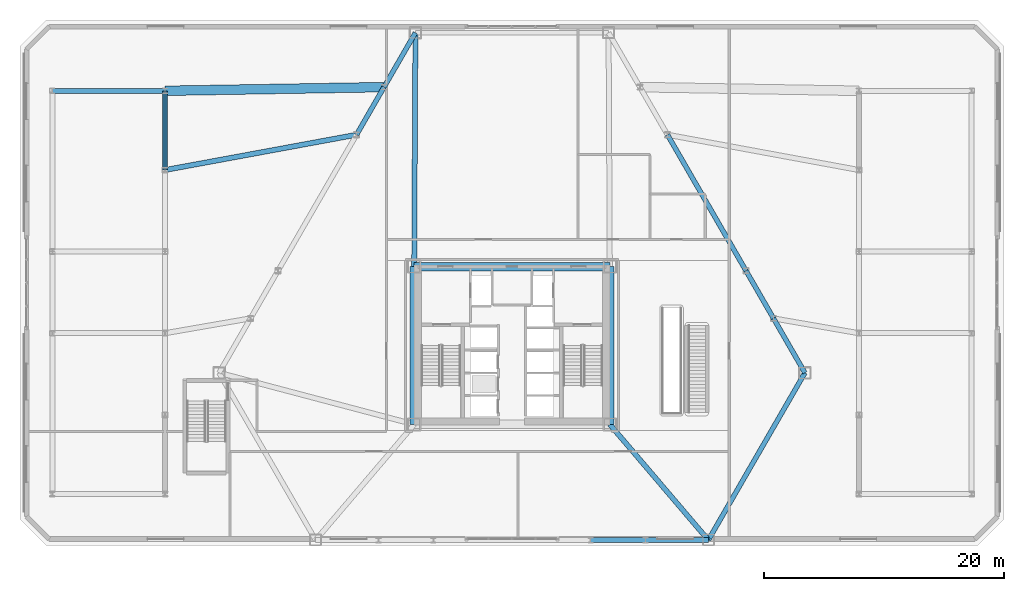
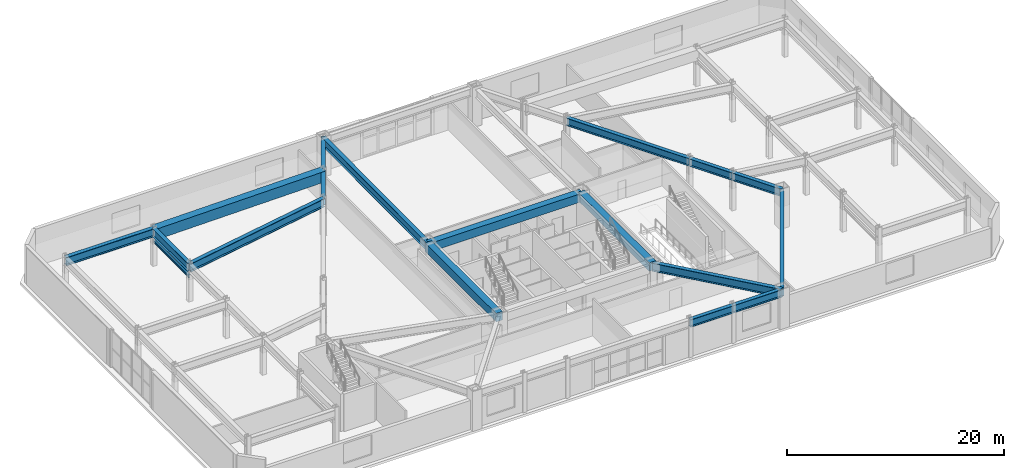
# One storey, part 9 of 21: 18 beams.
"""IFC4 building model written with IfcOpenShell, lengths in metres."""

from ifc_helpers import new_model, si_unit, direction, frame, origin, origin_2d, place, context, subcontext, project, spatial, rectangle, hollow_rectangle, i_section, extrude, material, material_profile, profile_set, type_object, element, save


model = new_model("IFC4")

# Units and contexts
model_context = context("Model", 3, precision=1e-05, world=origin(), true_north=direction((0.0, 1.0)))
body_context = subcontext(model_context, "Body", "Model", "MODEL_VIEW")
ifc_project = project(units=[si_unit("LENGTHUNIT", "METRE"), si_unit("AREAUNIT", "SQUARE_METRE"), si_unit("VOLUMEUNIT", "CUBIC_METRE"), si_unit("PLANEANGLEUNIT", "RADIAN"), si_unit("MASSUNIT", "GRAM", prefix="KILO")], contexts=[model_context])

# Site, building, storey
site_placement = place(None, origin())
site = spatial("IfcSite", under=ifc_project, at=site_placement, CompositionType="ELEMENT")
building_placement = place(site_placement, origin())
building = spatial("IfcBuilding", under=site, at=building_placement, Name="Oramaril Tower", CompositionType="ELEMENT")
storey_placement = place(building_placement, frame((0.0, 0.0, 5.39990234375)))
storey = spatial("IfcBuildingStorey", under=building, at=storey_placement, Name="L01", CompositionType="ELEMENT", Elevation=5.39990234375)

# Beams
ifc_material_1 = material(Name="Concrete C50/60", Category="concrete")
ifc_material_profile_1 = material_profile(ifc_material_1, rectangle(XDim=0.699951171875, YDim=0.949951171875, at=origin_2d()), Name="CB700X950")
ifc_profile_set_1 = profile_set([ifc_material_profile_1], Name="Concrete C50/60")
beam_type_1 = type_object("IfcBeamType", Name="BT-CB1", PredefinedType="BEAM", material=ifc_profile_set_1)
beam_1_placement = place(storey_placement, frame((45.64990234375, 11.0, 3.7451171875), z_axis=(0.0, 1.0, 0.0), x_axis=(-1.0, 0.0, 0.0)))
element("IfcBeam", 1, at=beam_1_placement, inside=storey, type_object=beam_type_1, Name="L01 Core Header Beam CB-2", PredefinedType="BEAM", context=body_context, shape_type="SweptSolid", body=[
    extrude(rectangle(XDim=0.699951171875, YDim=0.949951171875, at=origin_2d()), origin(), (0.0, 0.0, 1.0), 13.14990234375),
])
beam_2_placement = place(storey_placement, frame((45.64990234375, 24.14990234375, 3.7451171875), z_axis=(-1.0, 0.0, 0.0), x_axis=(0.0, -1.0, 0.0)))
element("IfcBeam", 2, at=beam_2_placement, inside=storey, type_object=beam_type_1, Name="L01 Core Header Beam CB-3", PredefinedType="BEAM", context=body_context, shape_type="SweptSolid", body=[
    extrude(rectangle(XDim=0.699951171875, YDim=0.949951171875, at=origin_2d()), origin(), (0.0, 0.0, 1.0), 16.2998046875),
])
beam_3_placement = place(storey_placement, frame((29.35009765625, 24.14990234375, 3.7451171875), z_axis=(0.0, -1.0, 0.0), x_axis=(1.0, 0.0, 0.0)))
element("IfcBeam", 3, at=beam_3_placement, inside=storey, type_object=beam_type_1, Name="L01 Core Header Beam CB-4", PredefinedType="BEAM", context=body_context, shape_type="SweptSolid", body=[
    extrude(rectangle(XDim=0.699951171875, YDim=0.949951171875, at=origin_2d()), origin(), (0.0, 0.0, 1.0), 13.14990234375),
])
ifc_material_2 = material(Name="Steel ASTM A572 Gr 50", Category="steel")
ifc_material_profile_2 = material_profile(ifc_material_2, i_section(OverallWidth=0.1650390625, OverallDepth=0.31005859375, WebThickness=0.005859375, FlangeThickness=0.009765625, at=origin_2d()), Name="W12X26")
ifc_profile_set_2 = profile_set([ifc_material_profile_2], Name="Steel ASTM A572 Gr 50")
beam_type_2 = type_object("IfcBeamType", Name="BT-LN1", PredefinedType="LINTEL", material=ifc_profile_set_2)
beam_4_placement = place(storey_placement, frame((8.60009765625, 32.199951171875, 2.695068359375), z_axis=(0.0, 1.0, 0.0), x_axis=(-1.0, 0.0, 0.0)))
element("IfcBeam", 4, at=beam_4_placement, inside=storey, type_object=beam_type_2, Name="L01 Podium Opening Lintel Beam", PredefinedType="LINTEL", context=body_context, shape_type="SweptSolid", body=[
    extrude(i_section(OverallWidth=0.1650390625, OverallDepth=0.31005859375, WebThickness=0.005859375, FlangeThickness=0.009765625, at=origin_2d()), origin(), (0.0, 0.0, 1.0), 6.60009765625),
])
ifc_material_3 = material(Name="Steel ASTM A572 Gr 50", Category="steel")
ifc_material_profile_3 = material_profile(ifc_material_3, i_section(OverallWidth=0.424072265625, OverallDepth=0.947021484375, WebThickness=0.02392578125, FlangeThickness=0.042724609375, at=origin_2d()), Name="W36X302")
ifc_profile_set_3 = profile_set([ifc_material_profile_3], Name="Steel ASTM A572 Gr 50")
beam_type_3 = type_object("IfcBeamType", Name="BT-PG1", PredefinedType="BEAM", material=ifc_profile_set_3)
beam_5_placement = place(storey_placement, frame((8.60009765625, 32.199951171875, 3.74658203125), z_axis=(0.983441112449, 0.181227973404, 0.0), x_axis=(-0.181227973404, 0.983441112449, 0.0)))
element("IfcBeam", 5, at=beam_5_placement, inside=storey, type_object=beam_type_3, Name="L01 Podium Clear-Span Girder 05", PredefinedType="BEAM", context=body_context, shape_type="SweptSolid", body=[
    extrude(i_section(OverallWidth=0.424072265625, OverallDepth=0.947021484375, WebThickness=0.02392578125, FlangeThickness=0.042724609375, at=origin_2d()), origin(), (0.0, 0.0, 1.0), 16.211669921875),
])
beam_6_placement = place(storey_placement, frame((-0.800048828125, 38.800048828125, 3.74658203125), z_axis=(1.0, 0.0, 0.0), x_axis=(0.0, 1.0, 0.0)))
element("IfcBeam", 6, at=beam_6_placement, inside=storey, type_object=beam_type_3, Name="L01 Wing Transverse Girder 04", PredefinedType="BEAM", context=body_context, shape_type="SweptSolid", body=[
    extrude(i_section(OverallWidth=0.424072265625, OverallDepth=0.947021484375, WebThickness=0.02392578125, FlangeThickness=0.042724609375, at=origin_2d()), origin(), (0.0, 0.0, 1.0), 9.400146484375),
])
ifc_material_4 = material(Name="Steel ASTM A572 Gr 50", Category="steel")
ifc_material_profile_4 = material_profile(ifc_material_4, i_section(OverallWidth=0.4189453125, OverallDepth=0.927001953125, WebThickness=0.019287109375, FlangeThickness=0.031982421875, at=origin_2d()), Name="W36X231")
ifc_profile_set_4 = profile_set([ifc_material_profile_4], Name="Steel ASTM A572 Gr 50")
beam_type_4 = type_object("IfcBeamType", Name="BT-PG2", PredefinedType="BEAM", material=ifc_profile_set_4)
beam_7_placement = place(storey_placement, frame((45.64990234375, 11.0, 3.756591796875), z_axis=(0.64848466157, -0.761227721322, 0.0), x_axis=(0.761227721322, 0.64848466157, 0.0)))
element("IfcBeam", 7, at=beam_7_placement, inside=storey, type_object=beam_type_4, Name="L01 Radial Primary Beam RB-03", PredefinedType="BEAM", context=body_context, shape_type="SweptSolid", body=[
    extrude(i_section(OverallWidth=0.4189453125, OverallDepth=0.927001953125, WebThickness=0.019287109375, FlangeThickness=0.031982421875, at=origin_2d()), origin(), (0.0, 0.0, 1.0), 12.66357421875),
])
beam_8_placement = place(storey_placement, frame((29.35009765625, 24.14990234375, 3.756591796875), z_axis=(0.005223463456, 0.999986357622, 0.0), x_axis=(-0.999986357622, 0.005223463456, 0.0)))
element("IfcBeam", 8, at=beam_8_placement, inside=storey, type_object=beam_type_4, Name="L01 Radial Primary Beam RB-06", PredefinedType="BEAM", context=body_context, shape_type="SweptSolid", body=[
    extrude(i_section(OverallWidth=0.4189453125, OverallDepth=0.927001953125, WebThickness=0.019287109375, FlangeThickness=0.031982421875, at=origin_2d()), origin(), (0.0, 0.0, 1.0), 19.490234375),
])
beam_9_placement = place(storey_placement, frame((8.60009765625, 32.199951171875, 3.756591796875), z_axis=(0.0, 1.0, 0.0), x_axis=(-1.0, 0.0, 0.0)))
element("IfcBeam", 9, at=beam_9_placement, inside=storey, type_object=beam_type_4, Name="L01 Podium Perimeter Girder 05", PredefinedType="BEAM", context=body_context, shape_type="SweptSolid", body=[
    extrude(i_section(OverallWidth=0.4189453125, OverallDepth=0.927001953125, WebThickness=0.019287109375, FlangeThickness=0.031982421875, at=origin_2d()), origin(), (0.0, 0.0, 1.0), 6.60009765625),
])
ifc_material_5 = material(Name="Steel ASTM A572 Gr 50", Category="steel")
ifc_material_profile_5 = material_profile(ifc_material_5, i_section(OverallWidth=0.40087890625, OverallDepth=0.85595703125, WebThickness=0.018310546875, FlangeThickness=0.029296875, at=origin_2d()), Name="W33X201")
ifc_profile_set_5 = profile_set([ifc_material_profile_5], Name="Steel ASTM A572 Gr 50")
beam_type_5 = type_object("IfcBeamType", Name="BT-SP1", PredefinedType="SPANDREL", material=ifc_profile_set_5)
beam_10_placement = place(storey_placement, frame((44.044921875, 1.360107421875, 3.7919921875), z_axis=(1.0, 0.0, 0.0), x_axis=(0.0, 1.0, 0.0)))
element("IfcBeam", 10, at=beam_10_placement, inside=storey, type_object=beam_type_5, Name="L01 Perimeter Spandrel 05", PredefinedType="SPANDREL", context=body_context, shape_type="SweptSolid", body=[
    extrude(i_section(OverallWidth=0.40087890625, OverallDepth=0.85595703125, WebThickness=0.018310546875, FlangeThickness=0.029296875, at=origin_2d()), origin(), (0.0, 0.0, 1.0), 4.581298828125),
])
beam_11_placement = place(storey_placement, frame((48.626220703125, 1.360107421875, 3.7919921875), z_axis=(1.0, 0.0, 0.0), x_axis=(0.0, 1.0, 0.0)))
element("IfcBeam", 11, at=beam_11_placement, inside=storey, type_object=beam_type_5, Name="L01 Perimeter Spandrel 06", PredefinedType="SPANDREL", context=body_context, shape_type="SweptSolid", body=[
    extrude(i_section(OverallWidth=0.40087890625, OverallDepth=0.85595703125, WebThickness=0.018310546875, FlangeThickness=0.029296875, at=origin_2d()), origin(), (0.0, 0.0, 1.0), 5.23583984375),
])
beam_12_placement = place(storey_placement, frame((53.862060546875, 1.360107421875, 3.7919921875), z_axis=(0.500005168208, 0.866022419898, 0.0), x_axis=(-0.866022419898, 0.500005168208, 0.0)))
element("IfcBeam", 12, at=beam_12_placement, inside=storey, type_object=beam_type_5, Name="L01 Perimeter Spandrel 07", PredefinedType="SPANDREL", context=body_context, shape_type="SweptSolid", body=[
    extrude(i_section(OverallWidth=0.40087890625, OverallDepth=0.85595703125, WebThickness=0.018310546875, FlangeThickness=0.029296875, at=origin_2d()), origin(), (0.0, 0.0, 1.0), 16.096435546875),
])
beam_13_placement = place(storey_placement, frame((61.910400390625, 15.300048828125, 3.7919921875), z_axis=(-0.499995574394, 0.866027958894, 0.0), x_axis=(-0.866027958894, -0.499995574394, 0.0)))
element("IfcBeam", 13, at=beam_13_placement, inside=storey, type_object=beam_type_5, Name="L01 Perimeter Spandrel 08", PredefinedType="SPANDREL", context=body_context, shape_type="SweptSolid", body=[
    extrude(i_section(OverallWidth=0.40087890625, OverallDepth=0.85595703125, WebThickness=0.018310546875, FlangeThickness=0.029296875, at=origin_2d()), origin(), (0.0, 0.0, 1.0), 5.23583984375),
])
beam_14_placement = place(storey_placement, frame((59.29248046875, 19.83447265625, 3.7919921875), z_axis=(-0.500019215235, 0.866014309579, 0.0), x_axis=(-0.866014309579, -0.500019215235, 0.0)))
element("IfcBeam", 14, at=beam_14_placement, inside=storey, type_object=beam_type_5, Name="L01 Perimeter Spandrel 09", PredefinedType="SPANDREL", context=body_context, shape_type="SweptSolid", body=[
    extrude(i_section(OverallWidth=0.40087890625, OverallDepth=0.85595703125, WebThickness=0.018310546875, FlangeThickness=0.029296875, at=origin_2d()), origin(), (0.0, 0.0, 1.0), 4.581298828125),
])
beam_15_placement = place(storey_placement, frame((57.001708984375, 23.802001953125, 3.7919921875), z_axis=(-0.50000660679, 0.866021589319, 0.0), x_axis=(-0.866021589319, -0.50000660679, 0.0)))
element("IfcBeam", 15, at=beam_15_placement, inside=storey, type_object=beam_type_5, Name="L01 Perimeter Spandrel 10", PredefinedType="SPANDREL", context=body_context, shape_type="SweptSolid", body=[
    extrude(i_section(OverallWidth=0.40087890625, OverallDepth=0.85595703125, WebThickness=0.018310546875, FlangeThickness=0.029296875, at=origin_2d()), origin(), (0.0, 0.0, 1.0), 13.089599609375),
])
beam_16_placement = place(storey_placement, frame((29.451904296875, 43.639892578125, 3.7919921875), z_axis=(-0.500015765613, -0.866016301312, 0.0), x_axis=(0.866016301312, -0.500015765613, 0.0)))
element("IfcBeam", 16, at=beam_16_placement, inside=storey, type_object=beam_type_5, Name="L01 Perimeter Spandrel 14", PredefinedType="SPANDREL", context=body_context, shape_type="SweptSolid", body=[
    extrude(i_section(OverallWidth=0.40087890625, OverallDepth=0.85595703125, WebThickness=0.018310546875, FlangeThickness=0.029296875, at=origin_2d()), origin(), (0.0, 0.0, 1.0), 5.235595703125),
])
beam_17_placement = place(storey_placement, frame((26.833984375, 39.105712890625, 3.7919921875), z_axis=(-0.499996140324, -0.866027632158, 0.0), x_axis=(0.866027632158, -0.499996140324, 0.0)))
element("IfcBeam", 17, at=beam_17_placement, inside=storey, type_object=beam_type_5, Name="L01 Perimeter Spandrel 15", PredefinedType="SPANDREL", context=body_context, shape_type="SweptSolid", body=[
    extrude(i_section(OverallWidth=0.40087890625, OverallDepth=0.85595703125, WebThickness=0.018310546875, FlangeThickness=0.029296875, at=origin_2d()), origin(), (0.0, 0.0, 1.0), 4.58154296875),
])
ifc_material_6 = material(Name="Steel ASTM A572 Gr 50", Category="steel")
ifc_material_profile_6 = material_profile(ifc_material_6, hollow_rectangle(XDim=0.800048828125, YDim=1.199951171875, WallThickness=0.074951171875, at=origin_2d()), Name="BOX1200X800X75")
ifc_profile_set_6 = profile_set([ifc_material_profile_6], Name="Steel ASTM A572 Gr 50")
beam_type_6 = type_object("IfcBeamType", Name="BT-TT1", PredefinedType="BEAM", material=ifc_profile_set_6)
beam_18_placement = place(storey_placement, frame((8.60009765625, 38.800048828125, 3.6201171875), z_axis=(0.999859521862, 0.016761161682, 0.0), x_axis=(-0.016761161682, 0.999859521862, 0.0)))
element("IfcBeam", 18, at=beam_18_placement, inside=storey, type_object=beam_type_6, Name="L01 Podium Clear-Span Girder 06", PredefinedType="BEAM", context=body_context, shape_type="SweptSolid", body=[
    extrude(hollow_rectangle(XDim=0.800048828125, YDim=1.199951171875, WallThickness=0.074951171875, at=origin_2d()), origin(), (0.0, 0.0, 1.0), 18.236328125),
])

save(model, "model.ifc")
